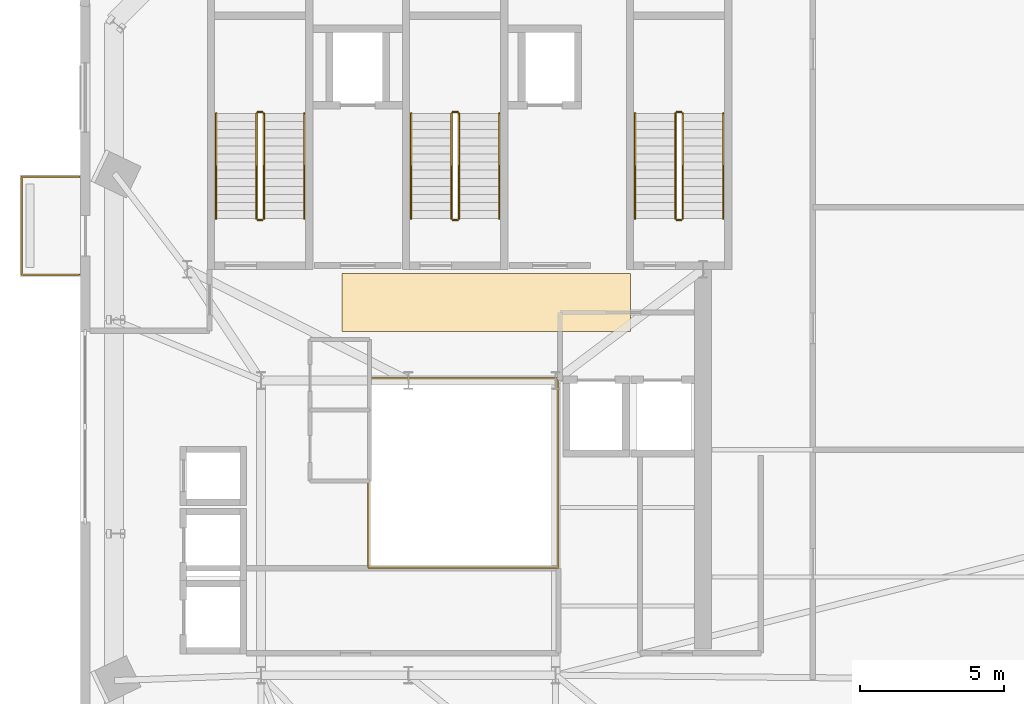
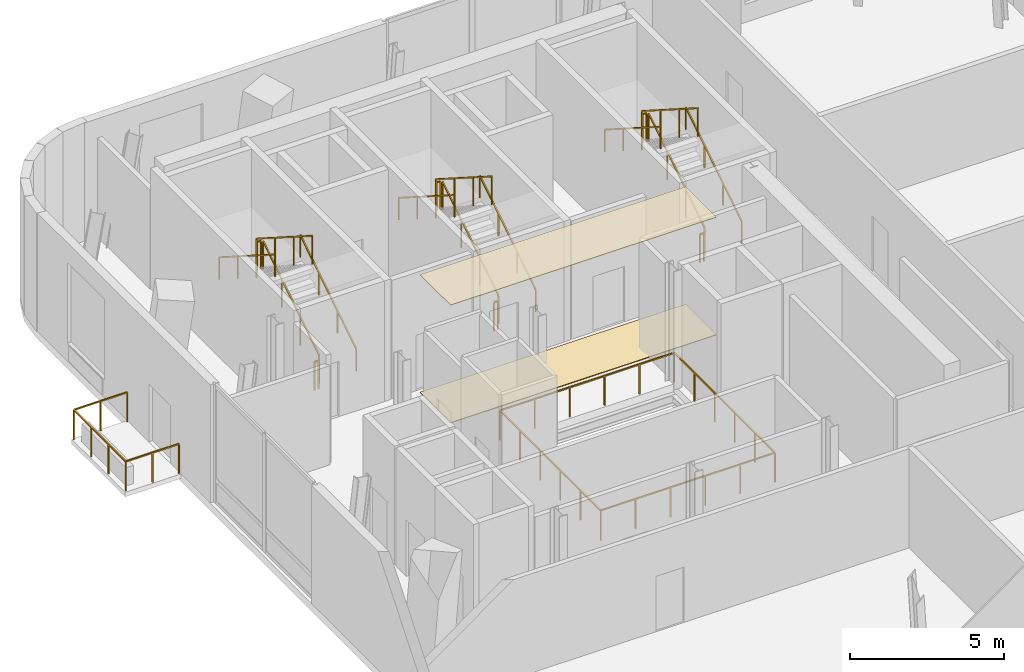
# One storey, part 9 of 10: 20 railings, 2 coverings.
"""IFC4 building model written with IfcOpenShell, lengths in metres."""

from ifc_helpers import new_model, si_unit, direction, frame, origin, origin_2d, place, context, subcontext, project, spatial, polyline, rectangle, outline, extrude, source, transform, mapped, material, layer, layer_set, type_object, element, save


model = new_model("IFC4")

# Units and contexts
model_context = context("Model", 3, precision=1e-05, world=origin(), true_north=direction((0.0, 1.0)))
body_context = subcontext(model_context, "Body", "Model", "MODEL_VIEW")
ifc_project = project(units=[si_unit("LENGTHUNIT", "METRE"), si_unit("AREAUNIT", "SQUARE_METRE"), si_unit("VOLUMEUNIT", "CUBIC_METRE"), si_unit("PLANEANGLEUNIT", "RADIAN"), si_unit("MASSUNIT", "GRAM", prefix="KILO")], contexts=[model_context])

# Site, building, storey
site_placement = place(None, origin())
site = spatial("IfcSite", under=ifc_project, at=site_placement, CompositionType="ELEMENT")
building_placement = place(site_placement, origin())
building = spatial("IfcBuilding", under=site, at=building_placement, Name="Vardaveli Station Tower", CompositionType="ELEMENT")
storey_placement = place(building_placement, frame((0.0, 0.0, 291.14990234375)))
storey = spatial("IfcBuildingStorey", under=building, at=storey_placement, Name="L74", CompositionType="ELEMENT", Elevation=291.14990234375)

# Coverings
ifc_material_1 = material(Name="Perforated acoustic mineral ceiling")
ifc_layer_1 = layer(ifc_material_1, 0.02001953125, Name="Perforated acoustic mineral ceiling")
ifc_layer_set_1 = layer_set([ifc_layer_1], Name="Perforated acoustic mineral ceiling")
covering_type_1 = type_object("IfcCoveringType", Name="COV-CEIL-AC20", PredefinedType="CEILING", material=ifc_layer_set_1)
covering_1_placement = place(storey_placement, frame((0.0, 0.0, 4.68505859375)))
element("IfcCovering", 1, at=covering_1_placement, inside=storey, type_object=covering_type_1, Name="CEIL-L74-1", PredefinedType="CEILING", context=body_context, shape_type="SweptSolid", body=[
    extrude(outline(polyline([(34.0, 28.5), (44.0, 28.5), (44.0, 30.5), (34.0, 30.5), (34.0, 28.5)])), origin(), (0.0, 0.0, 1.0), 0.02001953125),
])
ifc_material_2 = material(Name="Honed Caucasian basalt and travertine flooring", Category="masonry")
ifc_layer_2 = layer(ifc_material_2, 0.030029296875, Name="Honed Caucasian basalt and travertine flooring")
ifc_layer_set_2 = layer_set([ifc_layer_2], Name="Honed Caucasian basalt and travertine flooring")
covering_type_2 = type_object("IfcCoveringType", Name="COV-FLOOR-ST30", PredefinedType="FLOORING", material=ifc_layer_set_2)
covering_2_placement = place(storey_placement, origin())
element("IfcCovering", 2, at=covering_2_placement, inside=storey, type_object=covering_type_2, Name="FLR-L74-1", PredefinedType="FLOORING", context=body_context, shape_type="SweptSolid", body=[
    extrude(outline(polyline([(34.0, 28.5), (44.0, 28.5), (44.0, 30.5), (34.0, 30.5), (34.0, 28.5)])), origin(), (0.0, 0.0, 1.0), 0.030029296875),
])

# Railings
ifc_material_3 = material(Name="Laminated glass and stainless steel balustrade", Category="steel")
railing_type_1 = type_object("IfcRailingType", Name="RL-BAL-1200", PredefinedType="BALUSTRADE", material=ifc_material_3)
shared_shape_1 = source(origin(), body_context, "Body", "SweptSolid", [
    extrude(rectangle(XDim=0.048095703125, YDim=0.048095703125, at=origin_2d()), frame((0.0, 0.0, 1.17578125), z_axis=(-1.0, 0.0, 0.0), x_axis=(0.0, -1.0, 0.0)), (0.0, 0.0, 1.0), 2.0),
    extrude(rectangle(XDim=0.048095703125, YDim=0.048095703125, at=origin_2d()), frame((-2.0, 0.0, 1.17578125), z_axis=(0.0, 1.0, 0.0), x_axis=(-1.0, 0.0, 0.0)), (0.0, 0.0, 1.0), 3.380126953125),
    extrude(rectangle(XDim=0.048095703125, YDim=0.048095703125, at=origin_2d()), frame((-2.0, 3.380126953125, 1.17578125), z_axis=(1.0, 0.0, 0.0), x_axis=(0.0, 1.0, 0.0)), (0.0, 0.0, 1.0), 2.0),
    extrude(rectangle(XDim=0.0419921875, YDim=0.0419921875, at=origin_2d()), origin(), (0.0, 0.0, 1.0), 1.15185546875),
    extrude(rectangle(XDim=0.0419921875, YDim=0.0419921875, at=origin_2d()), frame((-1.0, 0.0, 0.0)), (0.0, 0.0, 1.0), 1.15185546875),
    extrude(rectangle(XDim=0.0419921875, YDim=0.0419921875, at=origin_2d()), frame((-2.0, 0.0, 0.0)), (0.0, 0.0, 1.0), 1.15185546875),
    extrude(rectangle(XDim=0.0419921875, YDim=0.0419921875, at=origin_2d()), frame((-2.0, 1.126708984375, 0.0)), (0.0, 0.0, 1.0), 1.15185546875),
    extrude(rectangle(XDim=0.0419921875, YDim=0.0419921875, at=origin_2d()), frame((-2.0, 2.25341796875, 0.0)), (0.0, 0.0, 1.0), 1.15185546875),
    extrude(rectangle(XDim=0.0419921875, YDim=0.0419921875, at=origin_2d()), frame((-2.0, 3.380126953125, 0.0)), (0.0, 0.0, 1.0), 1.15185546875),
    extrude(rectangle(XDim=0.0419921875, YDim=0.0419921875, at=origin_2d()), frame((-1.0, 3.380126953125, 0.0)), (0.0, 0.0, 1.0), 1.15185546875),
    extrude(rectangle(XDim=0.0419921875, YDim=0.0419921875, at=origin_2d()), frame((0.0, 3.380126953125, 0.0)), (0.0, 0.0, 1.0), 1.15185546875),
])
railing_1_placement = place(storey_placement, frame((24.919921875, 30.46630859375, 0.0)))
element("IfcRailing", 3, at=railing_1_placement, inside=storey, type_object=railing_type_1, Name="RL-LOG-L74-01", PredefinedType="BALUSTRADE", context=body_context, shape_type="MappedRepresentation", body=[
    mapped(shared_shape_1, transform((0.0, 0.0, 0.0), scale=1.0)),
])
ifc_material_4 = material(Name="Brushed AISI 316 stainless steel", Category="steel")
railing_type_2 = type_object("IfcRailingType", Name="RL-GUARD-1150", PredefinedType="GUARDRAIL", material=ifc_material_4)
shared_shape_2 = source(origin(), body_context, "Body", "SweptSolid", [
    extrude(rectangle(XDim=0.048095703125, YDim=0.048095703125, at=origin_2d()), frame((0.0, 0.0, 1.1259765625), z_axis=(-1.0, 0.0, 0.0), x_axis=(0.0, -1.0, 0.0)), (0.0, 0.0, 1.0), 0.14990234375),
    extrude(rectangle(XDim=0.0419921875, YDim=0.0419921875, at=origin_2d()), origin(), (0.0, 0.0, 1.0), 1.101806640625),
    extrude(rectangle(XDim=0.0419921875, YDim=0.0419921875, at=origin_2d()), frame((-0.14990234375, 0.0, 0.0)), (0.0, 0.0, 1.0), 1.101806640625),
])
for number, where, name in (
    (4, (31.25, 36.090087890625, 2.5), "L74 ST-1 stair guard 2"),
    (5, (31.25, 32.35009765625, 0.0), "L74 ST-1 stair guard 4"),
    (6, (38.0, 36.090087890625, 2.5), "L74 ST-2 stair guard 2"),
    (7, (38.0, 32.35009765625, 0.0), "L74 ST-2 stair guard 4"),
    (8, (45.75, 36.090087890625, 2.5), "L74 ST-3 stair guard 2"),
    (9, (45.75, 32.35009765625, 0.0), "L74 ST-3 stair guard 4"),
):
    element("IfcRailing", number, at=place(storey_placement, frame(where)), inside=storey, type_object=railing_type_2, Name=name, PredefinedType="GUARDRAIL", context=body_context, shape_type="MappedRepresentation", body=[
        mapped(shared_shape_2, transform((0.0, 0.0, 0.0), scale=1.0)),
    ])
shared_shape_3 = source(origin(), body_context, "Body", "SweptSolid", [
    extrude(rectangle(XDim=0.048095703125, YDim=0.048095703125, at=origin_2d()), frame((0.0, 0.0, 1.1259765625), z_axis=(0.0, 0.843153495434, 0.537672933239), x_axis=(-1.0, 0.0, 0.0)), (0.0, 0.0, 1.0), 4.3173828125),
    extrude(rectangle(XDim=0.0419921875, YDim=0.0419921875, at=origin_2d()), origin(), (0.0, 0.0, 1.0), 1.101806640625),
    extrude(rectangle(XDim=0.0419921875, YDim=0.0419921875, at=origin_2d()), frame((0.0, 1.21337890625, 0.773681640625)), (0.0, 0.0, 1.0), 1.101806640625),
    extrude(rectangle(XDim=0.0419921875, YDim=0.0419921875, at=origin_2d()), frame((0.0, 2.4267578125, 1.547607421875)), (0.0, 0.0, 1.0), 1.101806640625),
    extrude(rectangle(XDim=0.0419921875, YDim=0.0419921875, at=origin_2d()), frame((0.0, 3.64013671875, 2.3212890625)), (0.0, 0.0, 1.0), 1.101806640625),
])
for number, where, name in (
    (10, (31.300048828125, 32.39990234375, 0.1787109375), "L74 ST-1 stair guard 1"),
    (11, (38.050048828125, 32.39990234375, 0.1787109375), "L74 ST-2 stair guard 1"),
    (12, (45.800048828125, 32.39990234375, 0.1787109375), "L74 ST-3 stair guard 1"),
):
    element("IfcRailing", number, at=place(storey_placement, frame(where)), inside=storey, type_object=railing_type_2, Name=name, PredefinedType="GUARDRAIL", context=body_context, shape_type="MappedRepresentation", body=[
        mapped(shared_shape_3, transform((0.0, 0.0, 0.0), scale=1.0)),
    ])
shared_shape_4 = source(origin(), body_context, "Body", "SweptSolid", [
    extrude(rectangle(XDim=0.048095703125, YDim=0.048095703125, at=origin_2d()), frame((0.0, 0.0, 1.1259765625), z_axis=(0.0, -0.843153495434, 0.537672933239), x_axis=(1.0, 0.0, 0.0)), (0.0, 0.0, 1.0), 4.3173828125),
    extrude(rectangle(XDim=0.0419921875, YDim=0.0419921875, at=origin_2d()), origin(), (0.0, 0.0, 1.0), 1.101806640625),
    extrude(rectangle(XDim=0.0419921875, YDim=0.0419921875, at=origin_2d()), frame((0.0, -1.21337890625, 0.773681640625)), (0.0, 0.0, 1.0), 1.101806640625),
    extrude(rectangle(XDim=0.0419921875, YDim=0.0419921875, at=origin_2d()), frame((0.0, -2.4267578125, 1.547607421875)), (0.0, 0.0, 1.0), 1.101806640625),
    extrude(rectangle(XDim=0.0419921875, YDim=0.0419921875, at=origin_2d()), frame((0.0, -3.64013671875, 2.3212890625)), (0.0, 0.0, 1.0), 1.101806640625),
])
for number, where, name in (
    (13, (31.050048828125, 36.0400390625, 2.6787109375), "L74 ST-1 stair guard 3"),
    (14, (37.800048828125, 36.0400390625, 2.6787109375), "L74 ST-2 stair guard 3"),
    (15, (45.550048828125, 36.0400390625, 2.6787109375), "L74 ST-3 stair guard 3"),
):
    element("IfcRailing", number, at=place(storey_placement, frame(where)), inside=storey, type_object=railing_type_2, Name=name, PredefinedType="GUARDRAIL", context=body_context, shape_type="MappedRepresentation", body=[
        mapped(shared_shape_4, transform((0.0, 0.0, 0.0), scale=1.0)),
    ])
railing_type_3 = type_object("IfcRailingType", Name="RL-HAND-900", PredefinedType="HANDRAIL", material=ifc_material_4)
shared_shape_5 = source(origin(), body_context, "Body", "SweptSolid", [
    extrude(rectangle(XDim=0.048095703125, YDim=0.048095703125, at=origin_2d()), frame((0.0, 0.0, 0.8759765625), z_axis=(0.0, 0.843153495434, 0.537672933239), x_axis=(-1.0, 0.0, 0.0)), (0.0, 0.0, 1.0), 4.3173828125),
    extrude(rectangle(XDim=0.0419921875, YDim=0.0419921875, at=origin_2d()), origin(), (0.0, 0.0, 1.0), 0.851806640625),
    extrude(rectangle(XDim=0.0419921875, YDim=0.0419921875, at=origin_2d()), frame((0.0, 1.21337890625, 0.773681640625)), (0.0, 0.0, 1.0), 0.851806640625),
    extrude(rectangle(XDim=0.0419921875, YDim=0.0419921875, at=origin_2d()), frame((0.0, 2.4267578125, 1.547607421875)), (0.0, 0.0, 1.0), 0.851806640625),
    extrude(rectangle(XDim=0.0419921875, YDim=0.0419921875, at=origin_2d()), frame((0.0, 3.64013671875, 2.3212890625)), (0.0, 0.0, 1.0), 0.851806640625),
])
for number, where, name in (
    (16, (32.699951171875, 32.39990234375, 0.1787109375), "L74 ST-1 stair handrail 1"),
    (17, (39.449951171875, 32.39990234375, 0.1787109375), "L74 ST-2 stair handrail 1"),
    (18, (47.199951171875, 32.39990234375, 0.1787109375), "L74 ST-3 stair handrail 1"),
):
    element("IfcRailing", number, at=place(storey_placement, frame(where)), inside=storey, type_object=railing_type_3, Name=name, PredefinedType="HANDRAIL", context=body_context, shape_type="MappedRepresentation", body=[
        mapped(shared_shape_5, transform((0.0, 0.0, 0.0), scale=1.0)),
    ])
shared_shape_6 = source(origin(), body_context, "Body", "SweptSolid", [
    extrude(rectangle(XDim=0.048095703125, YDim=0.048095703125, at=origin_2d()), frame((0.0, 0.0, 0.8759765625), z_axis=(0.0, -0.843153495434, 0.537672933239), x_axis=(1.0, 0.0, 0.0)), (0.0, 0.0, 1.0), 4.3173828125),
    extrude(rectangle(XDim=0.0419921875, YDim=0.0419921875, at=origin_2d()), origin(), (0.0, 0.0, 1.0), 0.851806640625),
    extrude(rectangle(XDim=0.0419921875, YDim=0.0419921875, at=origin_2d()), frame((0.0, -1.21337890625, 0.773681640625)), (0.0, 0.0, 1.0), 0.851806640625),
    extrude(rectangle(XDim=0.0419921875, YDim=0.0419921875, at=origin_2d()), frame((0.0, -2.4267578125, 1.547607421875)), (0.0, 0.0, 1.0), 0.851806640625),
    extrude(rectangle(XDim=0.0419921875, YDim=0.0419921875, at=origin_2d()), frame((0.0, -3.64013671875, 2.3212890625)), (0.0, 0.0, 1.0), 0.851806640625),
])
for number, where, name in (
    (19, (29.64990234375, 36.0400390625, 2.6787109375), "L74 ST-1 stair handrail 2"),
    (20, (36.39990234375, 36.0400390625, 2.6787109375), "L74 ST-2 stair handrail 2"),
    (21, (44.14990234375, 36.0400390625, 2.6787109375), "L74 ST-3 stair handrail 2"),
):
    element("IfcRailing", number, at=place(storey_placement, frame(where)), inside=storey, type_object=railing_type_3, Name=name, PredefinedType="HANDRAIL", context=body_context, shape_type="MappedRepresentation", body=[
        mapped(shared_shape_6, transform((0.0, 0.0, 0.0), scale=1.0)),
    ])
shared_shape_7 = source(origin(), body_context, "Body", "SweptSolid", [
    extrude(rectangle(XDim=0.048095703125, YDim=0.048095703125, at=origin_2d()), frame((0.0, 0.0, 1.17578125), z_axis=(1.0, 0.0, 0.0), x_axis=(0.0, 1.0, 0.0)), (0.0, 0.0, 1.0), 6.56005859375),
    extrude(rectangle(XDim=0.048095703125, YDim=0.048095703125, at=origin_2d()), frame((6.56005859375, 0.0, 1.17578125), z_axis=(0.0, 1.0, 0.0), x_axis=(-1.0, 0.0, 0.0)), (0.0, 0.0, 1.0), 6.559814453125),
    extrude(rectangle(XDim=0.048095703125, YDim=0.048095703125, at=origin_2d()), frame((6.56005859375, 6.559814453125, 1.17578125), z_axis=(-1.0, 0.0, 0.0), x_axis=(0.0, -1.0, 0.0)), (0.0, 0.0, 1.0), 6.56005859375),
    extrude(rectangle(XDim=0.048095703125, YDim=0.048095703125, at=origin_2d()), frame((0.0, 6.559814453125, 1.17578125), z_axis=(0.0, -1.0, 0.0), x_axis=(1.0, 0.0, 0.0)), (0.0, 0.0, 1.0), 6.559814453125),
    extrude(rectangle(XDim=0.0419921875, YDim=0.0419921875, at=origin_2d()), origin(), (0.0, 0.0, 1.0), 1.15185546875),
    extrude(rectangle(XDim=0.0419921875, YDim=0.0419921875, at=origin_2d()), frame((1.31201171875, 0.0, 0.0)), (0.0, 0.0, 1.0), 1.15185546875),
    extrude(rectangle(XDim=0.0419921875, YDim=0.0419921875, at=origin_2d()), frame((2.6240234375, 0.0, 0.0)), (0.0, 0.0, 1.0), 1.15185546875),
    extrude(rectangle(XDim=0.0419921875, YDim=0.0419921875, at=origin_2d()), frame((3.93603515625, 0.0, 0.0)), (0.0, 0.0, 1.0), 1.15185546875),
    extrude(rectangle(XDim=0.0419921875, YDim=0.0419921875, at=origin_2d()), frame((5.248046875, 0.0, 0.0)), (0.0, 0.0, 1.0), 1.15185546875),
    extrude(rectangle(XDim=0.0419921875, YDim=0.0419921875, at=origin_2d()), frame((6.56005859375, 0.0, 0.0)), (0.0, 0.0, 1.0), 1.15185546875),
    extrude(rectangle(XDim=0.0419921875, YDim=0.0419921875, at=origin_2d()), frame((6.56005859375, 1.31201171875, 0.0)), (0.0, 0.0, 1.0), 1.15185546875),
    extrude(rectangle(XDim=0.0419921875, YDim=0.0419921875, at=origin_2d()), frame((6.56005859375, 2.6240234375, 0.0)), (0.0, 0.0, 1.0), 1.15185546875),
    extrude(rectangle(XDim=0.0419921875, YDim=0.0419921875, at=origin_2d()), frame((6.56005859375, 3.935791015625, 0.0)), (0.0, 0.0, 1.0), 1.15185546875),
    extrude(rectangle(XDim=0.0419921875, YDim=0.0419921875, at=origin_2d()), frame((6.56005859375, 5.247802734375, 0.0)), (0.0, 0.0, 1.0), 1.15185546875),
    extrude(rectangle(XDim=0.0419921875, YDim=0.0419921875, at=origin_2d()), frame((6.56005859375, 6.559814453125, 0.0)), (0.0, 0.0, 1.0), 1.15185546875),
    extrude(rectangle(XDim=0.0419921875, YDim=0.0419921875, at=origin_2d()), frame((5.248046875, 6.559814453125, 0.0)), (0.0, 0.0, 1.0), 1.15185546875),
    extrude(rectangle(XDim=0.0419921875, YDim=0.0419921875, at=origin_2d()), frame((3.93603515625, 6.559814453125, 0.0)), (0.0, 0.0, 1.0), 1.15185546875),
    extrude(rectangle(XDim=0.0419921875, YDim=0.0419921875, at=origin_2d()), frame((2.6240234375, 6.559814453125, 0.0)), (0.0, 0.0, 1.0), 1.15185546875),
    extrude(rectangle(XDim=0.0419921875, YDim=0.0419921875, at=origin_2d()), frame((1.31201171875, 6.559814453125, 0.0)), (0.0, 0.0, 1.0), 1.15185546875),
    extrude(rectangle(XDim=0.0419921875, YDim=0.0419921875, at=origin_2d()), frame((0.0, 6.559814453125, 0.0)), (0.0, 0.0, 1.0), 1.15185546875),
    extrude(rectangle(XDim=0.0419921875, YDim=0.0419921875, at=origin_2d()), frame((0.0, 5.247802734375, 0.0)), (0.0, 0.0, 1.0), 1.15185546875),
    extrude(rectangle(XDim=0.0419921875, YDim=0.0419921875, at=origin_2d()), frame((0.0, 3.935791015625, 0.0)), (0.0, 0.0, 1.0), 1.15185546875),
    extrude(rectangle(XDim=0.0419921875, YDim=0.0419921875, at=origin_2d()), frame((0.0, 2.6240234375, 0.0)), (0.0, 0.0, 1.0), 1.15185546875),
    extrude(rectangle(XDim=0.0419921875, YDim=0.0419921875, at=origin_2d()), frame((0.0, 1.31201171875, 0.0)), (0.0, 0.0, 1.0), 1.15185546875),
])
railing_2_placement = place(storey_placement, frame((34.919921875, 20.320068359375, 0.0)))
element("IfcRailing", 22, at=railing_2_placement, inside=storey, type_object=railing_type_1, Name="RL-ATR-L74", PredefinedType="BALUSTRADE", context=body_context, shape_type="MappedRepresentation", body=[
    mapped(shared_shape_7, transform((0.0, 0.0, 0.0), scale=1.0)),
])

save(model, "model.ifc")
